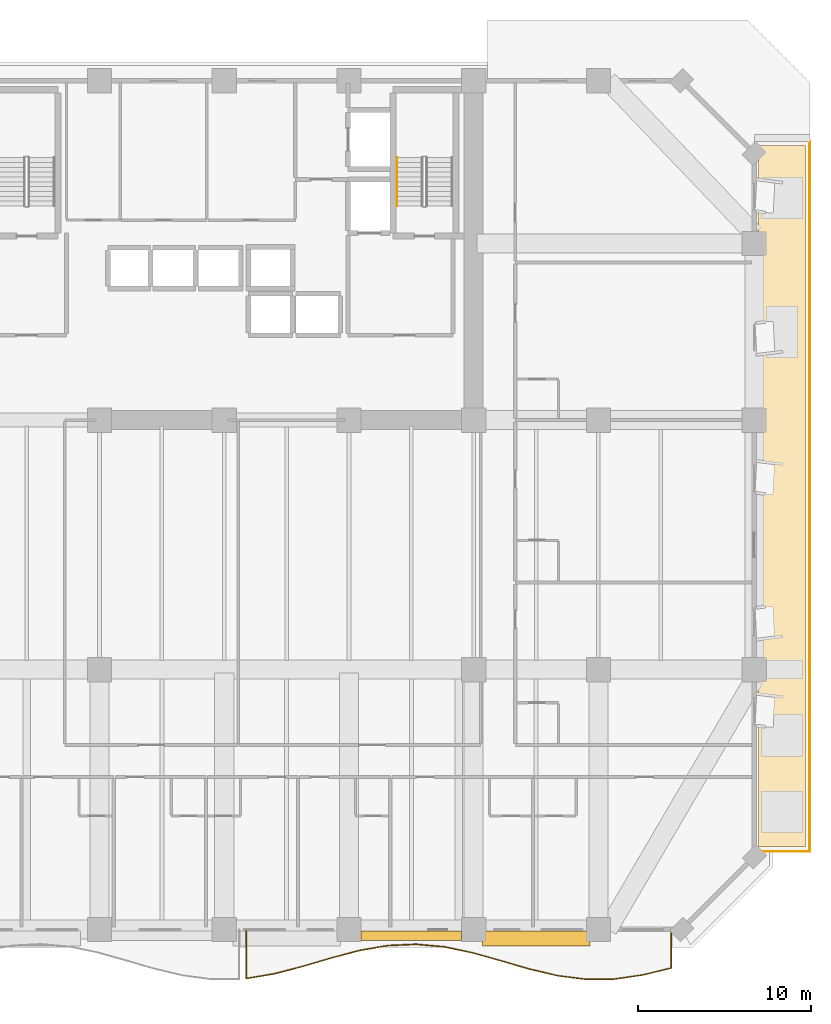
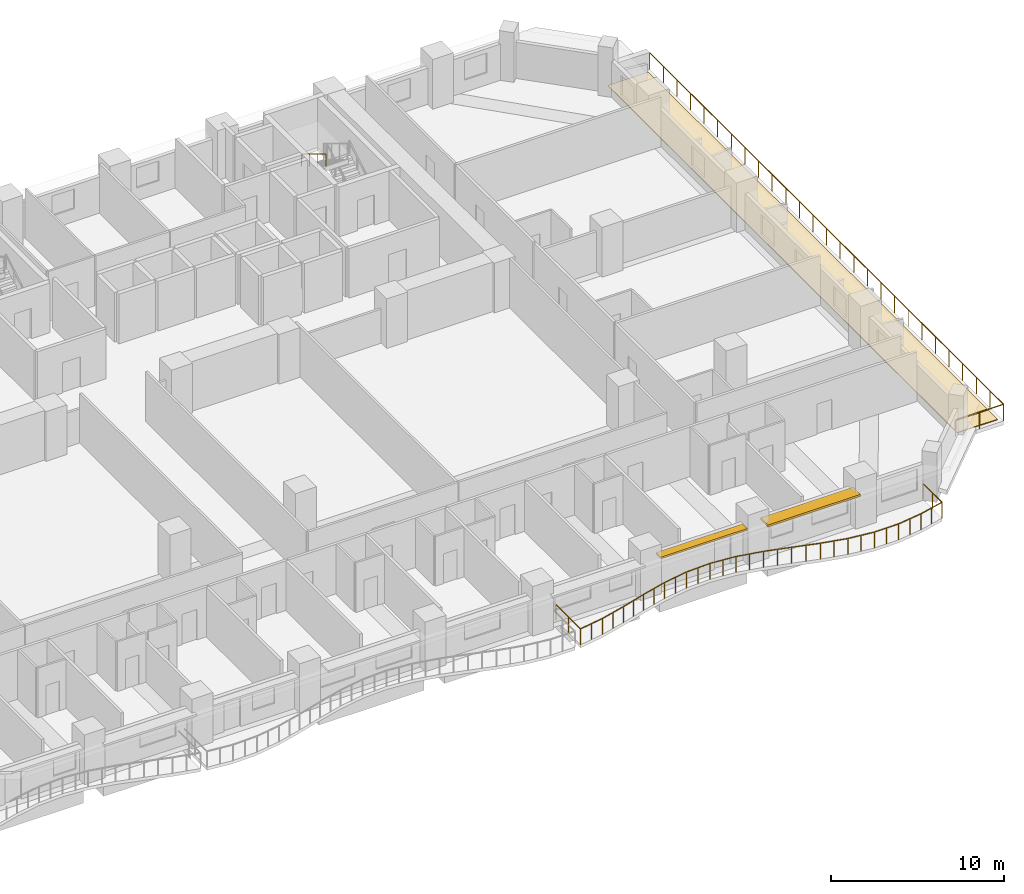
# One storey, part 16 of 17: 3 railings, 2 shading devices, 1 covering.
"""IFC4 building model written with IfcOpenShell, lengths in metres."""

from ifc_helpers import new_model, si_unit, direction, frame, origin, origin_2d, place, context, subcontext, project, spatial, polyline, rectangle, outline, extrude, material, layer, layer_set, type_object, element, save


model = new_model("IFC4")

# Units and contexts
model_context = context("Model", 3, precision=1e-05, world=origin(), true_north=direction((0.0, 1.0)))
body_context = subcontext(model_context, "Body", "Model", "MODEL_VIEW")
ifc_project = project(units=[si_unit("LENGTHUNIT", "METRE"), si_unit("AREAUNIT", "SQUARE_METRE"), si_unit("VOLUMEUNIT", "CUBIC_METRE"), si_unit("PLANEANGLEUNIT", "RADIAN"), si_unit("MASSUNIT", "GRAM", prefix="KILO")], contexts=[model_context])

# Site, building, storey
site_placement = place(None, origin())
site = spatial("IfcSite", under=ifc_project, at=site_placement, CompositionType="ELEMENT")
building_placement = place(site_placement, origin())
building = spatial("IfcBuilding", under=site, at=building_placement, Name="Kaelvorn Grand Hotel", CompositionType="ELEMENT")
storey_placement = place(building_placement, frame((0.0, 0.0, 31.39990234375)))
storey = spatial("IfcBuildingStorey", under=building, at=storey_placement, Name="L05", CompositionType="ELEMENT", Elevation=31.39990234375)

# Covering
ifc_material_1 = material(Name="Insulated Elastomeric Waterproofing Roof Membrane")
ifc_layer_1 = layer(ifc_material_1, 0.1201171875)
ifc_layer_set_1 = layer_set([ifc_layer_1], Name="Insulated Elastomeric Waterproofing Roof Membrane")
covering_type = type_object("IfcCoveringType", Name="COV-ROOF-MEMBRANE-120", PredefinedType="ROOFING", material=ifc_layer_set_1)
covering_placement = place(storey_placement, origin())
element("IfcCovering", 1, at=covering_placement, inside=storey, type_object=covering_type, Name="L05 Setback Terrace Waterproofing Membrane E", PredefinedType="ROOFING", context=body_context, shape_type="SweptSolid", body=[
    extrude(outline(polyline([(84.25, 4.75), (86.949951171875, 4.75), (86.949951171875, 45.25), (84.25, 45.25), (84.25, 4.75)])), origin(), (0.0, 0.0, 1.0), 0.06005859375),
])

# Railings
ifc_material_2 = material(Name="Stainless Steel", Category="steel")
railing_type_1 = type_object("IfcRailingType", Name="RL-BALC-1150", PredefinedType="BALUSTRADE", material=ifc_material_2)
railing_1_placement = place(storey_placement, frame((54.666748046875, 0.0, 0.0)))
element("IfcRailing", 2, at=railing_1_placement, inside=storey, type_object=railing_type_1, Name="L05 Scalloped Wave Balcony Balustrade GR1-3", PredefinedType="BALUSTRADE", context=body_context, shape_type="SweptSolid", body=[
    extrude(rectangle(XDim=0.048095703125, YDim=0.048095703125, at=origin_2d()), frame((0.0, 0.0, 1.1259765625), z_axis=(0.0, -1.0, 0.0), x_axis=(1.0, 0.0, 0.0)), (0.0, 0.0, 1.0), 2.831298828125),
    extrude(rectangle(XDim=0.048095703125, YDim=0.048095703125, at=origin_2d()), frame((0.0, -2.831298828125, 1.1259765625), z_axis=(0.986118033534, 0.166045848907, 0.0), x_axis=(-0.166045848907, 0.986118033534, 0.0)), (0.0, 0.0, 1.0), 1.658447265625),
    extrude(rectangle(XDim=0.048095703125, YDim=0.048095703125, at=origin_2d()), frame((1.635498046875, -2.555908203125, 1.1259765625), z_axis=(0.96763721046, 0.252345455542, 0.0), x_axis=(-0.252345455542, 0.96763721046, 0.0)), (0.0, 0.0, 1.0), 1.690185546875),
    extrude(rectangle(XDim=0.048095703125, YDim=0.048095703125, at=origin_2d()), frame((3.27099609375, -2.12939453125, 1.1259765625), z_axis=(0.959027432838, 0.2833132243, 0.0), x_axis=(-0.2833132243, 0.959027432838, 0.0)), (0.0, 0.0, 1.0), 1.705322265625),
    extrude(rectangle(XDim=0.048095703125, YDim=0.048095703125, at=origin_2d()), frame((4.906494140625, -1.646240234375, 1.1259765625), z_axis=(0.966831098892, 0.255416573886, 0.0), x_axis=(-0.255416573886, 0.966831098892, 0.0)), (0.0, 0.0, 1.0), 1.69189453125),
    extrude(rectangle(XDim=0.048095703125, YDim=0.048095703125, at=origin_2d()), frame((6.542236328125, -1.214111328125, 1.1259765625), z_axis=(0.985113377214, 0.171905887142, 0.0), x_axis=(-0.171905887142, 0.985113377214, 0.0)), (0.0, 0.0, 1.0), 1.66015625),
    extrude(rectangle(XDim=0.048095703125, YDim=0.048095703125, at=origin_2d()), frame((8.177734375, -0.9287109375, 1.1259765625), z_axis=(0.998944729953, 0.045928493331, 0.0), x_axis=(-0.045928493331, 0.998944729953, 0.0)), (0.0, 0.0, 1.0), 1.63720703125),
    extrude(rectangle(XDim=0.048095703125, YDim=0.048095703125, at=origin_2d()), frame((9.813232421875, -0.853515625, 1.1259765625), z_axis=(0.995730813029, -0.092304647692, 0.0), x_axis=(0.092304647692, 0.995730813029, 0.0)), (0.0, 0.0, 1.0), 1.642578125),
    extrude(rectangle(XDim=0.048095703125, YDim=0.048095703125, at=origin_2d()), frame((11.44873046875, -1.005126953125, 1.1259765625), z_axis=(0.978506375694, -0.206216567534, 0.0), x_axis=(0.206216567534, 0.978506375694, 0.0)), (0.0, 0.0, 1.0), 1.671630859375),
    extrude(rectangle(XDim=0.048095703125, YDim=0.048095703125, at=origin_2d()), frame((13.08447265625, -1.349853515625, 1.1259765625), z_axis=(0.962391909426, -0.27166489039, 0.0), x_axis=(0.27166489039, 0.962391909426, 0.0)), (0.0, 0.0, 1.0), 1.699462890625),
    extrude(rectangle(XDim=0.048095703125, YDim=0.048095703125, at=origin_2d()), frame((14.719970703125, -1.8115234375, 1.1259765625), z_axis=(0.960226046789, -0.279223815367, 0.0), x_axis=(0.279223815367, 0.960226046789, 0.0)), (0.0, 0.0, 1.0), 1.703125),
    extrude(rectangle(XDim=0.048095703125, YDim=0.048095703125, at=origin_2d()), frame((16.35546875, -2.287109375, 1.1259765625), z_axis=(0.973521889871, -0.228593809937, 0.0), x_axis=(0.228593809937, 0.973521889871, 0.0)), (0.0, 0.0, 1.0), 1.679931640625),
    extrude(rectangle(XDim=0.048095703125, YDim=0.048095703125, at=origin_2d()), frame((17.990966796875, -2.671142578125, 1.1259765625), z_axis=(0.992064544216, -0.125729630996, 0.0), x_axis=(0.125729630996, 0.992064544216, 0.0)), (0.0, 0.0, 1.0), 1.648681640625),
    extrude(rectangle(XDim=0.048095703125, YDim=0.048095703125, at=origin_2d()), frame((19.62646484375, -2.87841796875, 1.1259765625), z_axis=(0.999954380489, 0.009551803038, 0.0), x_axis=(-0.009551803038, 0.999954380489, 0.0)), (0.0, 0.0, 1.0), 1.6357421875),
    extrude(rectangle(XDim=0.048095703125, YDim=0.048095703125, at=origin_2d()), frame((21.26220703125, -2.86279296875, 1.1259765625), z_axis=(0.989824996425, 0.142290113682, 0.0), x_axis=(-0.142290113682, 0.989824996425, 0.0)), (0.0, 0.0, 1.0), 1.65234375),
    extrude(rectangle(XDim=0.048095703125, YDim=0.048095703125, at=origin_2d()), frame((22.897705078125, -2.627685546875, 1.1259765625), z_axis=(0.971081610913, 0.238747785218, 0.0), x_axis=(-0.238747785218, 0.971081610913, 0.0)), (0.0, 0.0, 1.0), 1.68408203125),
    extrude(rectangle(XDim=0.048095703125, YDim=0.048095703125, at=origin_2d()), frame((24.533203125, -2.2255859375, 1.1259765625), z_axis=(0.0, 1.0, 0.0), x_axis=(-1.0, 0.0, 0.0)), (0.0, 0.0, 1.0), 2.2255859375),
    extrude(rectangle(XDim=0.0419921875, YDim=0.0419921875, at=origin_2d()), origin(), (0.0, 0.0, 1.0), 1.101806640625),
    extrude(rectangle(XDim=0.0419921875, YDim=0.0419921875, at=origin_2d()), frame((0.0, -1.41552734375, 0.0)), (0.0, 0.0, 1.0), 1.101806640625),
    extrude(rectangle(XDim=0.0419921875, YDim=0.0419921875, at=origin_2d()), frame((0.0, -2.831298828125, 0.0)), (0.0, 0.0, 1.0), 1.101806640625),
    extrude(rectangle(XDim=0.0419921875, YDim=0.0419921875, at=origin_2d()), frame((0.81787109375, -2.693603515625, 0.0)), (0.0, 0.0, 1.0), 1.101806640625),
    extrude(rectangle(XDim=0.0419921875, YDim=0.0419921875, at=origin_2d()), frame((1.635498046875, -2.555908203125, 0.0)), (0.0, 0.0, 1.0), 1.101806640625),
    extrude(rectangle(XDim=0.0419921875, YDim=0.0419921875, at=origin_2d()), frame((2.453125, -2.3427734375, 0.0)), (0.0, 0.0, 1.0), 1.101806640625),
    extrude(rectangle(XDim=0.0419921875, YDim=0.0419921875, at=origin_2d()), frame((3.27099609375, -2.12939453125, 0.0)), (0.0, 0.0, 1.0), 1.101806640625),
    extrude(rectangle(XDim=0.0419921875, YDim=0.0419921875, at=origin_2d()), frame((4.0888671875, -1.8876953125, 0.0)), (0.0, 0.0, 1.0), 1.101806640625),
    extrude(rectangle(XDim=0.0419921875, YDim=0.0419921875, at=origin_2d()), frame((4.906494140625, -1.646240234375, 0.0)), (0.0, 0.0, 1.0), 1.101806640625),
    extrude(rectangle(XDim=0.0419921875, YDim=0.0419921875, at=origin_2d()), frame((5.724365234375, -1.43017578125, 0.0)), (0.0, 0.0, 1.0), 1.101806640625),
    extrude(rectangle(XDim=0.0419921875, YDim=0.0419921875, at=origin_2d()), frame((6.542236328125, -1.214111328125, 0.0)), (0.0, 0.0, 1.0), 1.101806640625),
    extrude(rectangle(XDim=0.0419921875, YDim=0.0419921875, at=origin_2d()), frame((7.35986328125, -1.0712890625, 0.0)), (0.0, 0.0, 1.0), 1.101806640625),
    extrude(rectangle(XDim=0.0419921875, YDim=0.0419921875, at=origin_2d()), frame((8.177734375, -0.9287109375, 0.0)), (0.0, 0.0, 1.0), 1.101806640625),
    extrude(rectangle(XDim=0.0419921875, YDim=0.0419921875, at=origin_2d()), frame((8.99560546875, -0.89111328125, 0.0)), (0.0, 0.0, 1.0), 1.101806640625),
    extrude(rectangle(XDim=0.0419921875, YDim=0.0419921875, at=origin_2d()), frame((9.813232421875, -0.853515625, 0.0)), (0.0, 0.0, 1.0), 1.101806640625),
    extrude(rectangle(XDim=0.0419921875, YDim=0.0419921875, at=origin_2d()), frame((10.630859375, -0.92919921875, 0.0)), (0.0, 0.0, 1.0), 1.101806640625),
    extrude(rectangle(XDim=0.0419921875, YDim=0.0419921875, at=origin_2d()), frame((11.44873046875, -1.005126953125, 0.0)), (0.0, 0.0, 1.0), 1.101806640625),
    extrude(rectangle(XDim=0.0419921875, YDim=0.0419921875, at=origin_2d()), frame((12.2666015625, -1.177490234375, 0.0)), (0.0, 0.0, 1.0), 1.101806640625),
    extrude(rectangle(XDim=0.0419921875, YDim=0.0419921875, at=origin_2d()), frame((13.08447265625, -1.349853515625, 0.0)), (0.0, 0.0, 1.0), 1.101806640625),
    extrude(rectangle(XDim=0.0419921875, YDim=0.0419921875, at=origin_2d()), frame((13.90234375, -1.58056640625, 0.0)), (0.0, 0.0, 1.0), 1.101806640625),
    extrude(rectangle(XDim=0.0419921875, YDim=0.0419921875, at=origin_2d()), frame((14.719970703125, -1.8115234375, 0.0)), (0.0, 0.0, 1.0), 1.101806640625),
    extrude(rectangle(XDim=0.0419921875, YDim=0.0419921875, at=origin_2d()), frame((15.53759765625, -2.04931640625, 0.0)), (0.0, 0.0, 1.0), 1.101806640625),
    extrude(rectangle(XDim=0.0419921875, YDim=0.0419921875, at=origin_2d()), frame((16.35546875, -2.287109375, 0.0)), (0.0, 0.0, 1.0), 1.101806640625),
    extrude(rectangle(XDim=0.0419921875, YDim=0.0419921875, at=origin_2d()), frame((17.17333984375, -2.47900390625, 0.0)), (0.0, 0.0, 1.0), 1.101806640625),
    extrude(rectangle(XDim=0.0419921875, YDim=0.0419921875, at=origin_2d()), frame((17.990966796875, -2.671142578125, 0.0)), (0.0, 0.0, 1.0), 1.101806640625),
    extrude(rectangle(XDim=0.0419921875, YDim=0.0419921875, at=origin_2d()), frame((18.80859375, -2.77490234375, 0.0)), (0.0, 0.0, 1.0), 1.101806640625),
    extrude(rectangle(XDim=0.0419921875, YDim=0.0419921875, at=origin_2d()), frame((19.62646484375, -2.87841796875, 0.0)), (0.0, 0.0, 1.0), 1.101806640625),
    extrude(rectangle(XDim=0.0419921875, YDim=0.0419921875, at=origin_2d()), frame((20.4443359375, -2.87060546875, 0.0)), (0.0, 0.0, 1.0), 1.101806640625),
    extrude(rectangle(XDim=0.0419921875, YDim=0.0419921875, at=origin_2d()), frame((21.26220703125, -2.86279296875, 0.0)), (0.0, 0.0, 1.0), 1.101806640625),
    extrude(rectangle(XDim=0.0419921875, YDim=0.0419921875, at=origin_2d()), frame((22.080078125, -2.7451171875, 0.0)), (0.0, 0.0, 1.0), 1.101806640625),
    extrude(rectangle(XDim=0.0419921875, YDim=0.0419921875, at=origin_2d()), frame((22.897705078125, -2.627685546875, 0.0)), (0.0, 0.0, 1.0), 1.101806640625),
    extrude(rectangle(XDim=0.0419921875, YDim=0.0419921875, at=origin_2d()), frame((23.71533203125, -2.4267578125, 0.0)), (0.0, 0.0, 1.0), 1.101806640625),
    extrude(rectangle(XDim=0.0419921875, YDim=0.0419921875, at=origin_2d()), frame((24.533203125, -2.2255859375, 0.0)), (0.0, 0.0, 1.0), 1.101806640625),
    extrude(rectangle(XDim=0.0419921875, YDim=0.0419921875, at=origin_2d()), frame((24.533203125, -1.11279296875, 0.0)), (0.0, 0.0, 1.0), 1.101806640625),
    extrude(rectangle(XDim=0.0419921875, YDim=0.0419921875, at=origin_2d()), frame((24.533203125, 0.0, 0.0)), (0.0, 0.0, 1.0), 1.101806640625),
])
railing_type_2 = type_object("IfcRailingType", Name="RL-HANDRAIL-900", PredefinedType="HANDRAIL", material=ifc_material_2)
railing_2_placement = place(storey_placement, frame((63.3701171875, 44.56005859375, 2.045654296875)))
element("IfcRailing", 3, at=railing_2_placement, inside=storey, type_object=railing_type_2, Name="L05 ST3 stair handrail 2", PredefinedType="HANDRAIL", context=body_context, shape_type="SweptSolid", body=[
    extrude(rectangle(XDim=0.048095703125, YDim=0.048095703125, at=origin_2d()), frame((0.0, 0.0, 0.8759765625), z_axis=(0.0, -0.854202870247, 0.519939858505), x_axis=(1.0, 0.0, 0.0)), (0.0, 0.0, 1.0), 3.278076171875),
    extrude(rectangle(XDim=0.0419921875, YDim=0.0419921875, at=origin_2d()), origin(), (0.0, 0.0, 1.0), 0.851806640625),
    extrude(rectangle(XDim=0.0419921875, YDim=0.0419921875, at=origin_2d()), frame((0.0, -0.933349609375, 0.568115234375)), (0.0, 0.0, 1.0), 0.851806640625),
    extrude(rectangle(XDim=0.0419921875, YDim=0.0419921875, at=origin_2d()), frame((0.0, -1.86669921875, 1.13623046875)), (0.0, 0.0, 1.0), 0.851806640625),
    extrude(rectangle(XDim=0.0419921875, YDim=0.0419921875, at=origin_2d()), frame((0.0, -2.800048828125, 1.704345703125)), (0.0, 0.0, 1.0), 0.851806640625),
])
railing_type_3 = type_object("IfcRailingType", Name="RL-OBS-1200", PredefinedType="BALUSTRADE", material=ifc_material_2)
railing_3_placement = place(storey_placement, frame((87.199951171875, 45.5, 0.0)))
element("IfcRailing", 4, at=railing_3_placement, inside=storey, type_object=railing_type_3, Name="L05 Setback Sky Terrace Balustrade E", PredefinedType="BALUSTRADE", context=body_context, shape_type="SweptSolid", body=[
    extrude(rectangle(XDim=0.048095703125, YDim=0.048095703125, at=origin_2d()), frame((0.0, 0.0, 1.17578125), z_axis=(0.0, -1.0, 0.0), x_axis=(1.0, 0.0, 0.0)), (0.0, 0.0, 1.0), 41.0),
    extrude(rectangle(XDim=0.048095703125, YDim=0.048095703125, at=origin_2d()), frame((0.0, -41.0, 1.17578125), z_axis=(-1.0, 0.0, 0.0), x_axis=(0.0, -1.0, 0.0)), (0.0, 0.0, 1.0), 3.199951171875),
    extrude(rectangle(XDim=0.0419921875, YDim=0.0419921875, at=origin_2d()), origin(), (0.0, 0.0, 1.0), 1.15185546875),
    extrude(rectangle(XDim=0.0419921875, YDim=0.0419921875, at=origin_2d()), frame((0.0, -1.576904296875, 0.0)), (0.0, 0.0, 1.0), 1.15185546875),
    extrude(rectangle(XDim=0.0419921875, YDim=0.0419921875, at=origin_2d()), frame((0.0, -3.15380859375, 0.0)), (0.0, 0.0, 1.0), 1.15185546875),
    extrude(rectangle(XDim=0.0419921875, YDim=0.0419921875, at=origin_2d()), frame((0.0, -4.730712890625, 0.0)), (0.0, 0.0, 1.0), 1.15185546875),
    extrude(rectangle(XDim=0.0419921875, YDim=0.0419921875, at=origin_2d()), frame((0.0, -6.3076171875, 0.0)), (0.0, 0.0, 1.0), 1.15185546875),
    extrude(rectangle(XDim=0.0419921875, YDim=0.0419921875, at=origin_2d()), frame((0.0, -7.884521484375, 0.0)), (0.0, 0.0, 1.0), 1.15185546875),
    extrude(rectangle(XDim=0.0419921875, YDim=0.0419921875, at=origin_2d()), frame((0.0, -9.46142578125, 0.0)), (0.0, 0.0, 1.0), 1.15185546875),
    extrude(rectangle(XDim=0.0419921875, YDim=0.0419921875, at=origin_2d()), frame((0.0, -11.03857421875, 0.0)), (0.0, 0.0, 1.0), 1.15185546875),
    extrude(rectangle(XDim=0.0419921875, YDim=0.0419921875, at=origin_2d()), frame((0.0, -12.615478515625, 0.0)), (0.0, 0.0, 1.0), 1.15185546875),
    extrude(rectangle(XDim=0.0419921875, YDim=0.0419921875, at=origin_2d()), frame((0.0, -14.1923828125, 0.0)), (0.0, 0.0, 1.0), 1.15185546875),
    extrude(rectangle(XDim=0.0419921875, YDim=0.0419921875, at=origin_2d()), frame((0.0, -15.769287109375, 0.0)), (0.0, 0.0, 1.0), 1.15185546875),
    extrude(rectangle(XDim=0.0419921875, YDim=0.0419921875, at=origin_2d()), frame((0.0, -17.34619140625, 0.0)), (0.0, 0.0, 1.0), 1.15185546875),
    extrude(rectangle(XDim=0.0419921875, YDim=0.0419921875, at=origin_2d()), frame((0.0, -18.923095703125, 0.0)), (0.0, 0.0, 1.0), 1.15185546875),
    extrude(rectangle(XDim=0.0419921875, YDim=0.0419921875, at=origin_2d()), frame((0.0, -20.5, 0.0)), (0.0, 0.0, 1.0), 1.15185546875),
    extrude(rectangle(XDim=0.0419921875, YDim=0.0419921875, at=origin_2d()), frame((0.0, -22.076904296875, 0.0)), (0.0, 0.0, 1.0), 1.15185546875),
    extrude(rectangle(XDim=0.0419921875, YDim=0.0419921875, at=origin_2d()), frame((0.0, -23.65380859375, 0.0)), (0.0, 0.0, 1.0), 1.15185546875),
    extrude(rectangle(XDim=0.0419921875, YDim=0.0419921875, at=origin_2d()), frame((0.0, -25.230712890625, 0.0)), (0.0, 0.0, 1.0), 1.15185546875),
    extrude(rectangle(XDim=0.0419921875, YDim=0.0419921875, at=origin_2d()), frame((0.0, -26.8076171875, 0.0)), (0.0, 0.0, 1.0), 1.15185546875),
    extrude(rectangle(XDim=0.0419921875, YDim=0.0419921875, at=origin_2d()), frame((0.0, -28.384521484375, 0.0)), (0.0, 0.0, 1.0), 1.15185546875),
    extrude(rectangle(XDim=0.0419921875, YDim=0.0419921875, at=origin_2d()), frame((0.0, -29.96142578125, 0.0)), (0.0, 0.0, 1.0), 1.15185546875),
    extrude(rectangle(XDim=0.0419921875, YDim=0.0419921875, at=origin_2d()), frame((0.0, -31.53857421875, 0.0)), (0.0, 0.0, 1.0), 1.15185546875),
    extrude(rectangle(XDim=0.0419921875, YDim=0.0419921875, at=origin_2d()), frame((0.0, -33.115478515625, 0.0)), (0.0, 0.0, 1.0), 1.15185546875),
    extrude(rectangle(XDim=0.0419921875, YDim=0.0419921875, at=origin_2d()), frame((0.0, -34.6923828125, 0.0)), (0.0, 0.0, 1.0), 1.15185546875),
    extrude(rectangle(XDim=0.0419921875, YDim=0.0419921875, at=origin_2d()), frame((0.0, -36.269287109375, 0.0)), (0.0, 0.0, 1.0), 1.15185546875),
    extrude(rectangle(XDim=0.0419921875, YDim=0.0419921875, at=origin_2d()), frame((0.0, -37.84619140625, 0.0)), (0.0, 0.0, 1.0), 1.15185546875),
    extrude(rectangle(XDim=0.0419921875, YDim=0.0419921875, at=origin_2d()), frame((0.0, -39.423095703125, 0.0)), (0.0, 0.0, 1.0), 1.15185546875),
    extrude(rectangle(XDim=0.0419921875, YDim=0.0419921875, at=origin_2d()), frame((0.0, -41.0, 0.0)), (0.0, 0.0, 1.0), 1.15185546875),
    extrude(rectangle(XDim=0.0419921875, YDim=0.0419921875, at=origin_2d()), frame((-1.60009765625, -41.0, 0.0)), (0.0, 0.0, 1.0), 1.15185546875),
    extrude(rectangle(XDim=0.0419921875, YDim=0.0419921875, at=origin_2d()), frame((-3.199951171875, -41.0, 0.0)), (0.0, 0.0, 1.0), 1.15185546875),
])

# Shading devices
ifc_material_3 = material(Name="Precast concrete C45/55", Category="concrete")
ifc_layer_2 = layer(ifc_material_3, 0.1201171875)
ifc_layer_set_2 = layer_set([ifc_layer_2], Name="Precast concrete C45/55")
shading_device_type_1 = type_object("IfcShadingDeviceType", Name="SHD-SUNSHADE-550", PredefinedType="USERDEFINED", material=ifc_layer_set_2)
shading_device_1_placement = place(storey_placement, frame((64.199951171875, -0.364990234375, 2.419921875), z_axis=(0.0, 0.0, 1.0), x_axis=(1.0, 0.0, 0.0)))
element("IfcShadingDevice", 5, at=shading_device_1_placement, inside=storey, type_object=shading_device_type_1, Name="L05 Horizontal Concrete Sunshade Band SS-09", ObjectType="SUNSHADE", PredefinedType="USERDEFINED", context=body_context, shape_type="SweptSolid", body=[
    extrude(rectangle(XDim=5.800048828125, YDim=0.550048828125, at=origin_2d()), origin(), (0.0, 0.0, 1.0), 0.1201171875),
])
ifc_layer_3 = layer(ifc_material_3, 0.139892578125)
ifc_layer_set_3 = layer_set([ifc_layer_3], Name="Precast concrete C45/55")
shading_device_type_2 = type_object("IfcShadingDeviceType", Name="SHD-SUNSHADE-850", PredefinedType="USERDEFINED", material=ifc_layer_set_3)
shading_device_2_placement = place(storey_placement, frame((71.39990234375, -0.514892578125, 2.41015625), z_axis=(0.0, 0.0, 1.0), x_axis=(1.0, 0.0, 0.0)))
element("IfcShadingDevice", 6, at=shading_device_2_placement, inside=storey, type_object=shading_device_type_2, Name="L05 Horizontal Concrete Sunshade Band SS-10", ObjectType="SUNSHADE", PredefinedType="USERDEFINED", context=body_context, shape_type="SweptSolid", body=[
    extrude(rectangle(XDim=6.199951171875, YDim=0.85009765625, at=origin_2d()), origin(), (0.0, 0.0, 1.0), 0.139892578125),
])

save(model, "model.ifc")
